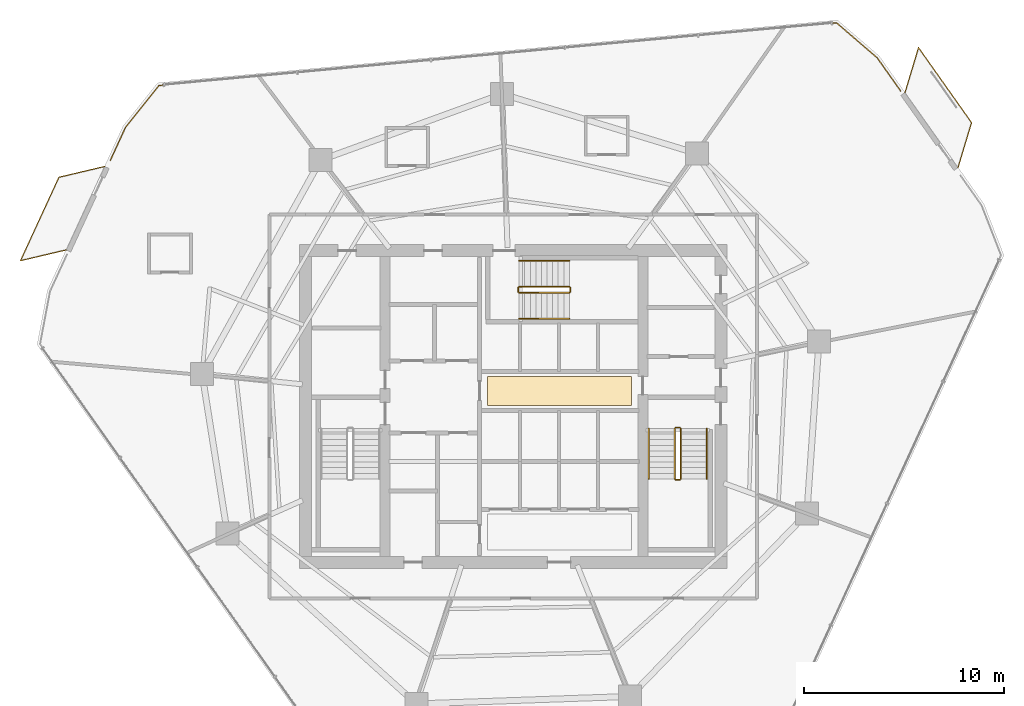
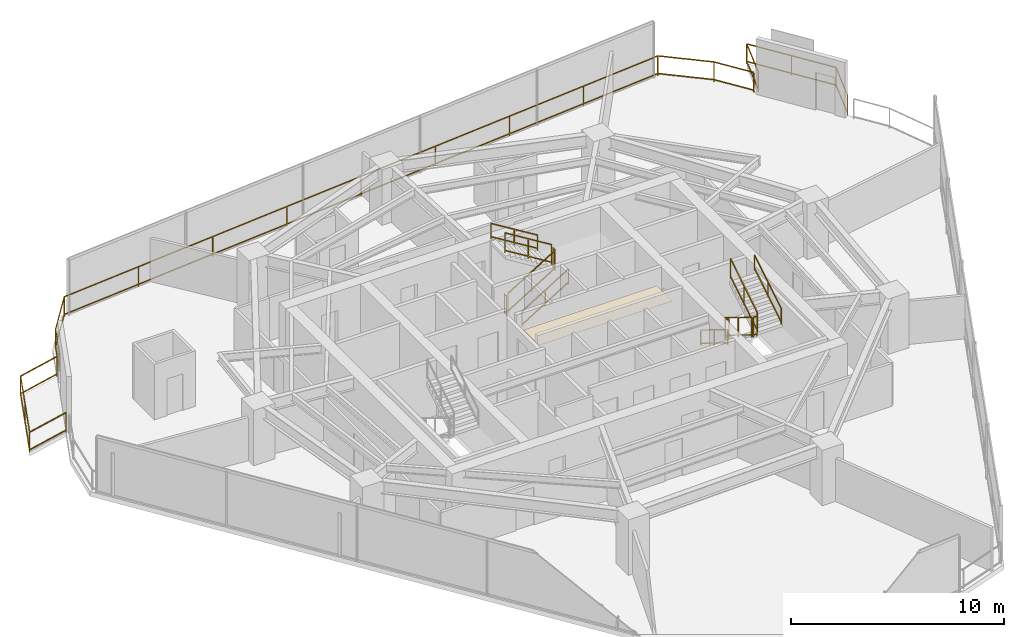
# One storey, part 30 of 30: 16 railings, 1 covering.
"""IFC4 building model written with IfcOpenShell, lengths in metres."""

import ifcopenshell
import ifcopenshell.guid

model = None  # the IFC model being written
_history = None  # IfcOwnerHistory: only IFC2X3 demands one
_inside = {}  # id of a spatial element -> (the spatial element, [elements in it])
_under = {}  # id of a project, library or spatial element -> (it, [spatial elements below it])
_declared = {}  # id of a project -> (the project, [libraries it declares])
_typed = {}  # id of a type object -> (the type object, [elements of that type])
_made_of = {}  # id of a material, layer set ... -> (it, [elements and type objects made of it])


def new_model(schema):
    """Start an empty IFC model of exactly this schema.

    Asked for "IFC4X3", IfcOpenShell would pick the latest addendum, in which some entities
    have other attributes; the version numbers below select the first issue.
    IFC2X3 requires an IfcOwnerHistory on every rooted entity: one is made here for all.
    """
    global model, _history
    if schema == "IFC4X3":
        model = ifcopenshell.file(schema_version=(4, 3, 0, 0))
    else:
        model = ifcopenshell.file(schema=schema)
    _inside.clear()
    _under.clear()
    _declared.clear()
    _typed.clear()
    _made_of.clear()
    _history = None
    if model.schema == "IFC2X3":
        org = make("IfcOrganization", Name="unknown")
        user = make(
            "IfcPersonAndOrganization",
            ThePerson=make("IfcPerson", FamilyName="unknown"),
            TheOrganization=org,
        )
        app = make(
            "IfcApplication",
            ApplicationDeveloper=org,
            Version="unknown",
            ApplicationFullName="unknown",
            ApplicationIdentifier="unknown",
        )
        _history = make(
            "IfcOwnerHistory",
            OwningUser=user,
            OwningApplication=app,
            ChangeAction="ADDED",
            CreationDate=0,
        )
    return model


def make(cls, **values):
    """One entity of the class cls with the attributes given. An attribute that is None is left unset."""
    return model.create_entity(
        cls, **{name: value for name, value in values.items() if value is not None}
    )


def rooted(cls, **values):
    """An entity with a GlobalId (a new one), such as an element, a storey or a relation."""
    return make(cls, GlobalId=ifcopenshell.guid.new(), OwnerHistory=_history, **values)


def si_unit(unit_type, name, prefix=None):
    """IfcSIUnit, for example si_unit("LENGTHUNIT", "METRE", prefix="MILLI")."""
    return make("IfcSIUnit", UnitType=unit_type, Prefix=prefix, Name=name)


def assignment(units):
    """IfcUnitAssignment: the units of a project."""
    return None if units is None else make("IfcUnitAssignment", Units=units)


def point(xyz):
    """IfcCartesianPoint."""
    return None if xyz is None else make("IfcCartesianPoint", Coordinates=xyz)


def direction(xyz):
    """IfcDirection."""
    return None if xyz is None else make("IfcDirection", DirectionRatios=xyz)


def frame(location, z_axis=None, x_axis=None):
    """IfcAxis2Placement3D, a coordinate frame: its origin and axes. An axis left out is left unset."""
    return make(
        "IfcAxis2Placement3D",
        Location=point(location),
        Axis=direction(z_axis),
        RefDirection=direction(x_axis),
    )


def frame_2d(location, x_axis=None):
    """IfcAxis2Placement2D, a coordinate frame in the plane: its origin and x axis."""
    return make(
        "IfcAxis2Placement2D", Location=point(location), RefDirection=direction(x_axis)
    )


def origin():
    """The frame at (0, 0, 0) with its axes left unset."""
    return frame((0.0, 0.0, 0.0))


def origin_2d():
    """The frame at (0, 0) in the plane with its x axis left unset."""
    return frame_2d((0.0, 0.0))


def place(relative_to, where):
    """IfcLocalPlacement: puts the frame where relative to a parent placement (None: the world)."""
    return make(
        "IfcLocalPlacement", PlacementRelTo=relative_to, RelativePlacement=where
    )


def context(
    kind, dimensions, precision=None, world=None, true_north=None, identifier=None
):
    """IfcGeometricRepresentationContext, for example the 3D "Model" context."""
    return make(
        "IfcGeometricRepresentationContext",
        ContextIdentifier=identifier,
        ContextType=kind,
        CoordinateSpaceDimension=dimensions,
        Precision=precision,
        WorldCoordinateSystem=world,
        TrueNorth=true_north,
    )


def subcontext(parent, identifier, kind, view, scale=None):
    """IfcGeometricRepresentationSubContext, for example "Body" below "Model"."""
    return make(
        "IfcGeometricRepresentationSubContext",
        ContextIdentifier=identifier,
        ContextType=kind,
        ParentContext=parent,
        TargetScale=scale,
        TargetView=view,
    )


def project(units=None, contexts=None):
    """IfcProject with its units and contexts."""
    return rooted(
        "IfcProject",
        Name="project",
        RepresentationContexts=contexts,
        UnitsInContext=assignment(units),
    )


def spatial(cls, under=None, at=None, **own):
    """A site, building, storey or space (cls), placed at a placement, below another one or the project."""
    s = rooted(cls, ObjectPlacement=at, **own)
    if under is not None:
        _under.setdefault(under.id(), (under, []))[1].append(s)
    return s


def profile(cls, at=None, kind="AREA", **sizes):
    """A parametric profile (cls). Its sizes go by their IFC names, for example OverallWidth=200.0."""
    return make(cls, ProfileType=kind, Position=at, **sizes)


def rectangle(**sizes):
    """IfcRectangleProfileDef."""
    return profile("IfcRectangleProfileDef", **sizes)


def extrude(swept, where, along, depth):
    """IfcExtrudedAreaSolid: the profile swept, set in the frame where, extruded along a direction by depth."""
    return make(
        "IfcExtrudedAreaSolid",
        SweptArea=swept,
        Position=where,
        ExtrudedDirection=direction(along),
        Depth=depth,
    )


def shape(context_of_items, identifier, shape_type, items):
    """IfcShapeRepresentation: the items that make up one representation, for example the "Body"."""
    return make(
        "IfcShapeRepresentation",
        ContextOfItems=context_of_items,
        RepresentationIdentifier=identifier,
        RepresentationType=shape_type,
        Items=items,
    )


def material(Name=None, Category=None):
    """IfcMaterial."""
    return make("IfcMaterial", Name=Name, Category=Category)


def layer(
    of_material, thickness, ventilated=None, Name=None, Category=None, Priority=None
):
    """IfcMaterialLayer: one layer of a wall or slab, of a material (None: an air gap)."""
    return make(
        "IfcMaterialLayer",
        Material=of_material,
        LayerThickness=thickness,
        IsVentilated=ventilated,
        Name=Name,
        Category=Category,
        Priority=Priority,
    )


def layer_set(layers, Name=None):
    """IfcMaterialLayerSet."""
    return make("IfcMaterialLayerSet", MaterialLayers=layers, LayerSetName=Name)


def made_of(thing, what):
    """Note that an element or type object is made of a material, layer set ...; save() writes the relation."""
    if what is not None:
        _made_of.setdefault(what.id(), (what, []))[1].append(thing)
    return thing


def type_object(cls, material=None, **own):
    """A type object (cls), such as IfcWallType, which elements share."""
    return made_of(rooted(cls, **own), material)


def element(
    cls,
    number,
    at=None,
    inside=None,
    cuts=None,
    type_object=None,
    material=None,
    context=None,
    identifier="Body",
    shape_type=None,
    held_by="IfcProductDefinitionShape",
    body=None,
    shapes=None,
    **own,
):
    """One element of the class cls, such as IfcWall. Its Tag is "e" and its number.

    at: its placement. inside: the storey or other place that contains it. cuts: it is an
    opening in that element (IfcRelVoidsElement). A single representation is given by context,
    identifier, shape_type and body (its items); several are given by shapes. held_by: the class
    of the entity that holds the representations. save() writes the other relations.
    """
    e = rooted(cls, Tag="e%d" % number, ObjectPlacement=at, **own)
    if body is not None:
        shapes = [shape(context, identifier, shape_type, body)]
    if shapes is not None:
        e.Representation = make(held_by, Representations=shapes)
    if inside is not None:
        _inside.setdefault(inside.id(), (inside, []))[1].append(e)
    if cuts is not None:
        rooted(
            "IfcRelVoidsElement", RelatingBuildingElement=cuts, RelatedOpeningElement=e
        )
    if type_object is not None:
        _typed.setdefault(type_object.id(), (type_object, []))[1].append(e)
    return made_of(e, material)


def aggregate(whole, parts):
    """IfcRelAggregates: a whole, such as a stair, and the parts it consists of."""
    return rooted("IfcRelAggregates", RelatingObject=whole, RelatedObjects=parts)


def save(model, path):
    """Write the relations noted so far, then the file.

    IfcRelAggregates (storeys below a building ...), IfcRelContainedInSpatialStructure (elements
    in a storey), IfcRelDefinesByType, IfcRelAssociatesMaterial and IfcRelDeclares: one each for
    every whole, place, type object, material and project.
    """
    for whole, parts in _under.values():
        aggregate(whole, parts)
    for where, things in _inside.values():
        rooted(
            "IfcRelContainedInSpatialStructure",
            RelatedElements=things,
            RelatingStructure=where,
        )
    for kind, things in _typed.values():
        rooted("IfcRelDefinesByType", RelatedObjects=things, RelatingType=kind)
    for what, things in _made_of.values():
        rooted("IfcRelAssociatesMaterial", RelatedObjects=things, RelatingMaterial=what)
    for by, libraries in _declared.values():
        rooted("IfcRelDeclares", RelatingContext=by, RelatedDefinitions=libraries)
    model.write(path)


model = new_model("IFC4")

# Units and contexts
model_context = context("Model", 3, precision=1e-05, world=origin(), true_north=direction((0.0, 1.0)))
body_context = subcontext(model_context, "Body", "Model", "MODEL_VIEW")
ifc_project = project(units=[si_unit("LENGTHUNIT", "METRE"), si_unit("AREAUNIT", "SQUARE_METRE"), si_unit("VOLUMEUNIT", "CUBIC_METRE"), si_unit("PLANEANGLEUNIT", "RADIAN"), si_unit("MASSUNIT", "GRAM", prefix="KILO")], contexts=[model_context])

# Site, building, storey
site_placement = place(None, origin())
site = spatial("IfcSite", under=ifc_project, at=site_placement, CompositionType="ELEMENT")
building_placement = place(site_placement, origin())
building = spatial("IfcBuilding", under=site, at=building_placement, Name="Qarnah Convention Tower", CompositionType="ELEMENT")
storey_placement = place(building_placement, frame((0.0, 0.0, 86.699951171875)))
storey = spatial("IfcBuildingStorey", under=building, at=storey_placement, Name="L22", CompositionType="ELEMENT", Elevation=86.699951171875)

# Covering
ifc_material_1 = material(Name="Mineral fibre acoustic ceiling")
ifc_layer = layer(ifc_material_1, 0.02001953125)
ifc_layer_set = layer_set([ifc_layer], Name="Mineral fibre acoustic ceiling")
covering_type = type_object("IfcCoveringType", Name="COV-CEIL-20", PredefinedType="CEILING", material=ifc_layer_set)
covering_placement = place(storey_placement, frame((39.52001953125, 27.179931640625, 2.2900390625), z_axis=(0.0, 0.0, 1.0), x_axis=(1.0, 0.0, 0.0)))
element("IfcCovering", 1, at=covering_placement, inside=storey, type_object=covering_type, Name="L22 lift lobby acoustic ceiling", PredefinedType="CEILING", context=body_context, shape_type="SweptSolid", body=[
    extrude(rectangle(XDim=7.199951171875, YDim=1.449951171875, at=origin_2d()), origin(), (0.0, 0.0, 1.0), 0.02001953125),
])

# Railings
ifc_material_2 = material(Name="Black anodised aluminium", Category="aluminium")
railing_type_1 = type_object("IfcRailingType", Name="RL-EXT-GUARD-1150", PredefinedType="GUARDRAIL", material=ifc_material_2)
railing_1_placement = place(storey_placement, frame((55.424072265625, 43.85205078125, 0.0)))
element("IfcRailing", 2, at=railing_1_placement, inside=storey, type_object=railing_type_1, Name="L22 slab-edge perimeter safety guard 01", PredefinedType="GUARDRAIL", context=body_context, shape_type="SweptSolid", body=[
    extrude(rectangle(XDim=0.048095703125, YDim=0.048095703125, at=origin_2d()), frame((0.0, 0.0, 1.1259765625), z_axis=(0.577511226512, -0.816382743113, 0.0), x_axis=(0.816382743113, 0.577511226512, 0.0)), (0.0, 0.0, 1.0), 2.048095703125),
    extrude(rectangle(XDim=0.048095703125, YDim=0.048095703125, at=origin_2d()), frame((0.0, 0.0, 0.1201171875), z_axis=(0.577511226512, -0.816382743113, 0.0), x_axis=(0.816382743113, 0.577511226512, 0.0)), (0.0, 0.0, 1.0), 2.048095703125),
    extrude(rectangle(XDim=0.0419921875, YDim=0.0419921875, at=origin_2d()), origin(), (0.0, 0.0, 1.0), 1.101806640625),
    extrude(rectangle(XDim=0.0419921875, YDim=0.0419921875, at=origin_2d()), frame((1.182861328125, -1.672119140625, 0.0)), (0.0, 0.0, 1.0), 1.101806640625),
])
railing_2_placement = place(storey_placement, frame((17.037109375, 38.70703125, 0.0)))
element("IfcRailing", 3, at=railing_2_placement, inside=storey, type_object=railing_type_1, Name="L22 slab-edge perimeter safety guard 03", PredefinedType="GUARDRAIL", context=body_context, shape_type="SweptSolid", body=[
    extrude(rectangle(XDim=0.048095703125, YDim=0.048095703125, at=origin_2d()), frame((0.0, 0.0, 1.1259765625), z_axis=(0.418155795695, 0.908375324702, 0.0), x_axis=(-0.908375324702, 0.418155795695, 0.0)), (0.0, 0.0, 1.0), 1.836181640625),
    extrude(rectangle(XDim=0.048095703125, YDim=0.048095703125, at=origin_2d()), frame((0.0, 0.0, 0.1201171875), z_axis=(0.418155795695, 0.908375324702, 0.0), x_axis=(-0.908375324702, 0.418155795695, 0.0)), (0.0, 0.0, 1.0), 1.836181640625),
    extrude(rectangle(XDim=0.048095703125, YDim=0.048095703125, at=origin_2d()), frame((0.767822265625, 1.66796875, 1.1259765625), z_axis=(0.625194984768, 0.780468597076, 0.0), x_axis=(-0.780468597076, 0.625194984768, 0.0)), (0.0, 0.0, 1.0), 2.67919921875),
    extrude(rectangle(XDim=0.048095703125, YDim=0.048095703125, at=origin_2d()), frame((0.767822265625, 1.66796875, 0.1201171875), z_axis=(0.625194984768, 0.780468597076, 0.0), x_axis=(-0.780468597076, 0.625194984768, 0.0)), (0.0, 0.0, 1.0), 2.67919921875),
    extrude(rectangle(XDim=0.048095703125, YDim=0.048095703125, at=origin_2d()), frame((2.44287109375, 3.759033203125, 1.1259765625), z_axis=(0.995757013505, 0.092021573864, 0.0), x_axis=(-0.092021573864, 0.995757013505, 0.0)), (0.0, 0.0, 1.0), 34.0576171875),
    extrude(rectangle(XDim=0.048095703125, YDim=0.048095703125, at=origin_2d()), frame((2.44287109375, 3.759033203125, 0.1201171875), z_axis=(0.995757013505, 0.092021573864, 0.0), x_axis=(-0.092021573864, 0.995757013505, 0.0)), (0.0, 0.0, 1.0), 34.0576171875),
    extrude(rectangle(XDim=0.048095703125, YDim=0.048095703125, at=origin_2d()), frame((36.35595703125, 6.89306640625, 1.1259765625), z_axis=(0.75793020682, -0.652335651019, 0.0), x_axis=(0.652335651019, 0.75793020682, 0.0)), (0.0, 0.0, 1.0), 2.6796875),
    extrude(rectangle(XDim=0.048095703125, YDim=0.048095703125, at=origin_2d()), frame((36.35595703125, 6.89306640625, 0.1201171875), z_axis=(0.75793020682, -0.652335651019, 0.0), x_axis=(0.652335651019, 0.75793020682, 0.0)), (0.0, 0.0, 1.0), 2.6796875),
    extrude(rectangle(XDim=0.0419921875, YDim=0.0419921875, at=origin_2d()), origin(), (0.0, 0.0, 1.0), 1.101806640625),
    extrude(rectangle(XDim=0.0419921875, YDim=0.0419921875, at=origin_2d()), frame((0.767822265625, 1.66796875, 0.0)), (0.0, 0.0, 1.0), 1.101806640625),
    extrude(rectangle(XDim=0.0419921875, YDim=0.0419921875, at=origin_2d()), frame((2.44287109375, 3.759033203125, 0.0)), (0.0, 0.0, 1.0), 1.101806640625),
    extrude(rectangle(XDim=0.0419921875, YDim=0.0419921875, at=origin_2d()), frame((6.68212890625, 4.15087890625, 0.0)), (0.0, 0.0, 1.0), 1.101806640625),
    extrude(rectangle(XDim=0.0419921875, YDim=0.0419921875, at=origin_2d()), frame((10.921142578125, 4.54248046875, 0.0)), (0.0, 0.0, 1.0), 1.101806640625),
    extrude(rectangle(XDim=0.0419921875, YDim=0.0419921875, at=origin_2d()), frame((15.16015625, 4.934326171875, 0.0)), (0.0, 0.0, 1.0), 1.101806640625),
    extrude(rectangle(XDim=0.0419921875, YDim=0.0419921875, at=origin_2d()), frame((19.3994140625, 5.326171875, 0.0)), (0.0, 0.0, 1.0), 1.101806640625),
    extrude(rectangle(XDim=0.0419921875, YDim=0.0419921875, at=origin_2d()), frame((23.638671875, 5.7177734375, 0.0)), (0.0, 0.0, 1.0), 1.101806640625),
    extrude(rectangle(XDim=0.0419921875, YDim=0.0419921875, at=origin_2d()), frame((27.877685546875, 6.109619140625, 0.0)), (0.0, 0.0, 1.0), 1.101806640625),
    extrude(rectangle(XDim=0.0419921875, YDim=0.0419921875, at=origin_2d()), frame((32.11669921875, 6.501220703125, 0.0)), (0.0, 0.0, 1.0), 1.101806640625),
    extrude(rectangle(XDim=0.0419921875, YDim=0.0419921875, at=origin_2d()), frame((36.35595703125, 6.89306640625, 0.0)), (0.0, 0.0, 1.0), 1.101806640625),
    extrude(rectangle(XDim=0.0419921875, YDim=0.0419921875, at=origin_2d()), frame((38.386962890625, 5.14501953125, 0.0)), (0.0, 0.0, 1.0), 1.101806640625),
])
railing_3_placement = place(storey_placement, frame((56.81689453125, 42.115966796875, 0.0)))
element("IfcRailing", 4, at=railing_3_placement, inside=storey, type_object=railing_type_1, Name="L22 balcony safety guard BAL-L22-C1", PredefinedType="GUARDRAIL", context=body_context, shape_type="SweptSolid", body=[
    extrude(rectangle(XDim=0.048095703125, YDim=0.048095703125, at=origin_2d()), frame((0.0, 0.0, 1.1259765625), z_axis=(0.287481424255, 0.957786213467, 0.0), x_axis=(-0.957786213467, 0.287481424255, 0.0)), (0.0, 0.0, 1.0), 2.34814453125),
    extrude(rectangle(XDim=0.048095703125, YDim=0.048095703125, at=origin_2d()), frame((0.0, 0.0, 0.1201171875), z_axis=(0.287481424255, 0.957786213467, 0.0), x_axis=(-0.957786213467, 0.287481424255, 0.0)), (0.0, 0.0, 1.0), 2.34814453125),
    extrude(rectangle(XDim=0.048095703125, YDim=0.048095703125, at=origin_2d()), frame((0.675048828125, 2.2490234375, 1.1259765625), z_axis=(0.577497501286, -0.816392452199, 0.0), x_axis=(0.816392452199, 0.577497501286, 0.0)), (0.0, 0.0, 1.0), 4.600830078125),
    extrude(rectangle(XDim=0.048095703125, YDim=0.048095703125, at=origin_2d()), frame((0.675048828125, 2.2490234375, 0.1201171875), z_axis=(0.577497501286, -0.816392452199, 0.0), x_axis=(0.816392452199, 0.577497501286, 0.0)), (0.0, 0.0, 1.0), 4.600830078125),
    extrude(rectangle(XDim=0.048095703125, YDim=0.048095703125, at=origin_2d()), frame((3.33203125, -1.507080078125, 1.1259765625), z_axis=(-0.287529210991, -0.957771868885, 0.0), x_axis=(0.957771868885, -0.287529210991, 0.0)), (0.0, 0.0, 1.0), 2.346923828125),
    extrude(rectangle(XDim=0.048095703125, YDim=0.048095703125, at=origin_2d()), frame((3.33203125, -1.507080078125, 0.1201171875), z_axis=(-0.287529210991, -0.957771868885, 0.0), x_axis=(0.957771868885, -0.287529210991, 0.0)), (0.0, 0.0, 1.0), 2.346923828125),
    extrude(rectangle(XDim=0.0419921875, YDim=0.0419921875, at=origin_2d()), origin(), (0.0, 0.0, 1.0), 1.101806640625),
    extrude(rectangle(XDim=0.0419921875, YDim=0.0419921875, at=origin_2d()), frame((0.675048828125, 2.2490234375, 0.0)), (0.0, 0.0, 1.0), 1.101806640625),
    extrude(rectangle(XDim=0.0419921875, YDim=0.0419921875, at=origin_2d()), frame((2.00341796875, 0.37109375, 0.0)), (0.0, 0.0, 1.0), 1.101806640625),
    extrude(rectangle(XDim=0.0419921875, YDim=0.0419921875, at=origin_2d()), frame((3.33203125, -1.507080078125, 0.0)), (0.0, 0.0, 1.0), 1.101806640625),
    extrude(rectangle(XDim=0.0419921875, YDim=0.0419921875, at=origin_2d()), frame((2.6572265625, -3.7548828125, 0.0)), (0.0, 0.0, 1.0), 1.101806640625),
])
railing_4_placement = place(storey_placement, frame((14.8291015625, 34.235107421875, 0.0)))
element("IfcRailing", 5, at=railing_4_placement, inside=storey, type_object=railing_type_1, Name="L22 balcony safety guard BAL-L22-C2", PredefinedType="GUARDRAIL", context=body_context, shape_type="SweptSolid", body=[
    extrude(rectangle(XDim=0.048095703125, YDim=0.048095703125, at=origin_2d()), frame((0.0, 0.0, 1.1259765625), z_axis=(-0.973286092315, -0.229595693572, 0.0), x_axis=(0.229595693572, -0.973286092315, 0.0)), (0.0, 0.0, 1.0), 2.347900390625),
    extrude(rectangle(XDim=0.048095703125, YDim=0.048095703125, at=origin_2d()), frame((0.0, 0.0, 0.1201171875), z_axis=(-0.973286092315, -0.229595693572, 0.0), x_axis=(0.229595693572, -0.973286092315, 0.0)), (0.0, 0.0, 1.0), 2.347900390625),
    extrude(rectangle(XDim=0.048095703125, YDim=0.048095703125, at=origin_2d()), frame((-2.28515625, -0.5390625, 1.1259765625), z_axis=(0.418300711936, 0.908308600859, 0.0), x_axis=(-0.908308600859, 0.418300711936, 0.0)), (0.0, 0.0, 1.0), 4.599853515625),
    extrude(rectangle(XDim=0.048095703125, YDim=0.048095703125, at=origin_2d()), frame((-2.28515625, -0.5390625, 0.1201171875), z_axis=(0.418300711936, 0.908308600859, 0.0), x_axis=(-0.908308600859, 0.418300711936, 0.0)), (0.0, 0.0, 1.0), 4.599853515625),
    extrude(rectangle(XDim=0.048095703125, YDim=0.048095703125, at=origin_2d()), frame((-0.361083984375, 3.638916015625, 1.1259765625), z_axis=(0.9731875753, 0.230012919817, 0.0), x_axis=(-0.230012919817, 0.9731875753, 0.0)), (0.0, 0.0, 1.0), 2.347900390625),
    extrude(rectangle(XDim=0.048095703125, YDim=0.048095703125, at=origin_2d()), frame((-0.361083984375, 3.638916015625, 0.1201171875), z_axis=(0.9731875753, 0.230012919817, 0.0), x_axis=(-0.230012919817, 0.9731875753, 0.0)), (0.0, 0.0, 1.0), 2.347900390625),
    extrude(rectangle(XDim=0.0419921875, YDim=0.0419921875, at=origin_2d()), origin(), (0.0, 0.0, 1.0), 1.101806640625),
    extrude(rectangle(XDim=0.0419921875, YDim=0.0419921875, at=origin_2d()), frame((-2.28515625, -0.5390625, 0.0)), (0.0, 0.0, 1.0), 1.101806640625),
    extrude(rectangle(XDim=0.0419921875, YDim=0.0419921875, at=origin_2d()), frame((-1.3232421875, 1.5498046875, 0.0)), (0.0, 0.0, 1.0), 1.101806640625),
    extrude(rectangle(XDim=0.0419921875, YDim=0.0419921875, at=origin_2d()), frame((-0.361083984375, 3.638916015625, 0.0)), (0.0, 0.0, 1.0), 1.101806640625),
    extrude(rectangle(XDim=0.0419921875, YDim=0.0419921875, at=origin_2d()), frame((1.923828125, 4.178955078125, 0.0)), (0.0, 0.0, 1.0), 1.101806640625),
])
ifc_material_3 = material(Name="Structural steel S355JR", Category="steel")
railing_type_2 = type_object("IfcRailingType", Name="RL-STAIR-GUARD-1150", PredefinedType="GUARDRAIL", material=ifc_material_3)
railing_5_placement = place(storey_placement, frame((45.300048828125, 25.300048828125, 0.172607421875)))
element("IfcRailing", 6, at=railing_5_placement, inside=storey, type_object=railing_type_2, Name="L22 ST-2 stair guard 1", PredefinedType="GUARDRAIL", context=body_context, shape_type="SweptSolid", body=[
    extrude(rectangle(XDim=0.048095703125, YDim=0.048095703125, at=origin_2d()), frame((0.0, 0.0, 1.1259765625), z_axis=(0.0, -0.851400495292, 0.524516154772), x_axis=(1.0, 0.0, 0.0)), (0.0, 0.0, 1.0), 2.9599609375),
    extrude(rectangle(XDim=0.048095703125, YDim=0.048095703125, at=origin_2d()), frame((0.0, 0.0, 0.1201171875), z_axis=(0.0, -0.851400495292, 0.524516154772), x_axis=(1.0, 0.0, 0.0)), (0.0, 0.0, 1.0), 2.9599609375),
    extrude(rectangle(XDim=0.0419921875, YDim=0.0419921875, at=origin_2d()), origin(), (0.0, 0.0, 1.0), 1.101806640625),
    extrude(rectangle(XDim=0.0419921875, YDim=0.0419921875, at=origin_2d()), frame((0.0, -1.260009765625, 0.7763671875)), (0.0, 0.0, 1.0), 1.101806640625),
    extrude(rectangle(XDim=0.0419921875, YDim=0.0419921875, at=origin_2d()), frame((0.0, -2.52001953125, 1.552490234375)), (0.0, 0.0, 1.0), 1.101806640625),
])
railing_6_placement = place(storey_placement, frame((45.35009765625, 22.72998046875, 1.72509765625)))
element("IfcRailing", 7, at=railing_6_placement, inside=storey, type_object=railing_type_2, Name="L22 ST-2 stair guard 2", PredefinedType="GUARDRAIL", context=body_context, shape_type="SweptSolid", body=[
    extrude(rectangle(XDim=0.048095703125, YDim=0.048095703125, at=origin_2d()), frame((0.0, 0.0, 1.1259765625), z_axis=(1.0, 0.0, 0.0), x_axis=(0.0, 1.0, 0.0)), (0.0, 0.0, 1.0), 0.199951171875),
    extrude(rectangle(XDim=0.048095703125, YDim=0.048095703125, at=origin_2d()), frame((0.0, 0.0, 0.1201171875), z_axis=(1.0, 0.0, 0.0), x_axis=(0.0, 1.0, 0.0)), (0.0, 0.0, 1.0), 0.199951171875),
    extrude(rectangle(XDim=0.0419921875, YDim=0.0419921875, at=origin_2d()), origin(), (0.0, 0.0, 1.0), 1.101806640625),
    extrude(rectangle(XDim=0.0419921875, YDim=0.0419921875, at=origin_2d()), frame((0.199951171875, 0.0, 0.0)), (0.0, 0.0, 1.0), 1.101806640625),
])
railing_7_placement = place(storey_placement, frame((45.60009765625, 22.780029296875, 1.8974609375)))
element("IfcRailing", 8, at=railing_7_placement, inside=storey, type_object=railing_type_2, Name="L22 ST-2 stair guard 3", PredefinedType="GUARDRAIL", context=body_context, shape_type="SweptSolid", body=[
    extrude(rectangle(XDim=0.048095703125, YDim=0.048095703125, at=origin_2d()), frame((0.0, 0.0, 1.1259765625), z_axis=(0.0, 0.851400495292, 0.524516154772), x_axis=(-1.0, 0.0, 0.0)), (0.0, 0.0, 1.0), 2.9599609375),
    extrude(rectangle(XDim=0.048095703125, YDim=0.048095703125, at=origin_2d()), frame((0.0, 0.0, 0.1201171875), z_axis=(0.0, 0.851400495292, 0.524516154772), x_axis=(-1.0, 0.0, 0.0)), (0.0, 0.0, 1.0), 2.9599609375),
    extrude(rectangle(XDim=0.0419921875, YDim=0.0419921875, at=origin_2d()), origin(), (0.0, 0.0, 1.0), 1.101806640625),
    extrude(rectangle(XDim=0.0419921875, YDim=0.0419921875, at=origin_2d()), frame((0.0, 1.260009765625, 0.7763671875)), (0.0, 0.0, 1.0), 1.101806640625),
    extrude(rectangle(XDim=0.0419921875, YDim=0.0419921875, at=origin_2d()), frame((0.0, 2.52001953125, 1.552490234375)), (0.0, 0.0, 1.0), 1.101806640625),
])
railing_8_placement = place(storey_placement, frame((45.35009765625, 25.35009765625, 0.0)))
element("IfcRailing", 9, at=railing_8_placement, inside=storey, type_object=railing_type_2, Name="L22 ST-2 stair guard 4", PredefinedType="GUARDRAIL", context=body_context, shape_type="SweptSolid", body=[
    extrude(rectangle(XDim=0.048095703125, YDim=0.048095703125, at=origin_2d()), frame((0.0, 0.0, 1.1259765625), z_axis=(1.0, 0.0, 0.0), x_axis=(0.0, 1.0, 0.0)), (0.0, 0.0, 1.0), 0.199951171875),
    extrude(rectangle(XDim=0.048095703125, YDim=0.048095703125, at=origin_2d()), frame((0.0, 0.0, 0.1201171875), z_axis=(1.0, 0.0, 0.0), x_axis=(0.0, 1.0, 0.0)), (0.0, 0.0, 1.0), 0.199951171875),
    extrude(rectangle(XDim=0.0419921875, YDim=0.0419921875, at=origin_2d()), origin(), (0.0, 0.0, 1.0), 1.101806640625),
    extrude(rectangle(XDim=0.0419921875, YDim=0.0419921875, at=origin_2d()), frame((0.199951171875, 0.0, 0.0)), (0.0, 0.0, 1.0), 1.101806640625),
])
railing_9_placement = place(storey_placement, frame((37.5, 32.10009765625, 0.172607421875)))
element("IfcRailing", 10, at=railing_9_placement, inside=storey, type_object=railing_type_2, Name="L22 ST-3 stair guard 1", PredefinedType="GUARDRAIL", context=body_context, shape_type="SweptSolid", body=[
    extrude(rectangle(XDim=0.048095703125, YDim=0.048095703125, at=origin_2d()), frame((0.0, 0.0, 1.1259765625), z_axis=(0.851400495292, 0.0, 0.524516154772), x_axis=(0.0, 1.0, 0.0)), (0.0, 0.0, 1.0), 2.9599609375),
    extrude(rectangle(XDim=0.048095703125, YDim=0.048095703125, at=origin_2d()), frame((0.0, 0.0, 0.1201171875), z_axis=(0.851400495292, 0.0, 0.524516154772), x_axis=(0.0, 1.0, 0.0)), (0.0, 0.0, 1.0), 2.9599609375),
    extrude(rectangle(XDim=0.0419921875, YDim=0.0419921875, at=origin_2d()), origin(), (0.0, 0.0, 1.0), 1.101806640625),
    extrude(rectangle(XDim=0.0419921875, YDim=0.0419921875, at=origin_2d()), frame((1.260009765625, 0.0, 0.7763671875)), (0.0, 0.0, 1.0), 1.101806640625),
    extrude(rectangle(XDim=0.0419921875, YDim=0.0419921875, at=origin_2d()), frame((2.52001953125, 0.0, 1.552490234375)), (0.0, 0.0, 1.0), 1.101806640625),
])
railing_10_placement = place(storey_placement, frame((40.070068359375, 32.14990234375, 1.72509765625)))
element("IfcRailing", 11, at=railing_10_placement, inside=storey, type_object=railing_type_2, Name="L22 ST-3 stair guard 2", PredefinedType="GUARDRAIL", context=body_context, shape_type="SweptSolid", body=[
    extrude(rectangle(XDim=0.048095703125, YDim=0.048095703125, at=origin_2d()), frame((0.0, 0.0, 1.1259765625), z_axis=(0.0, 1.0, 0.0), x_axis=(-1.0, 0.0, 0.0)), (0.0, 0.0, 1.0), 0.2001953125),
    extrude(rectangle(XDim=0.048095703125, YDim=0.048095703125, at=origin_2d()), frame((0.0, 0.0, 0.1201171875), z_axis=(0.0, 1.0, 0.0), x_axis=(-1.0, 0.0, 0.0)), (0.0, 0.0, 1.0), 0.2001953125),
    extrude(rectangle(XDim=0.0419921875, YDim=0.0419921875, at=origin_2d()), origin(), (0.0, 0.0, 1.0), 1.101806640625),
    extrude(rectangle(XDim=0.0419921875, YDim=0.0419921875, at=origin_2d()), frame((0.0, 0.2001953125, 0.0)), (0.0, 0.0, 1.0), 1.101806640625),
])
railing_11_placement = place(storey_placement, frame((40.02001953125, 32.39990234375, 1.8974609375)))
element("IfcRailing", 12, at=railing_11_placement, inside=storey, type_object=railing_type_2, Name="L22 ST-3 stair guard 3", PredefinedType="GUARDRAIL", context=body_context, shape_type="SweptSolid", body=[
    extrude(rectangle(XDim=0.048095703125, YDim=0.048095703125, at=origin_2d()), frame((0.0, 0.0, 1.1259765625), z_axis=(-0.851400495292, 0.0, 0.524516154772), x_axis=(0.0, -1.0, 0.0)), (0.0, 0.0, 1.0), 2.9599609375),
    extrude(rectangle(XDim=0.048095703125, YDim=0.048095703125, at=origin_2d()), frame((0.0, 0.0, 0.1201171875), z_axis=(-0.851400495292, 0.0, 0.524516154772), x_axis=(0.0, -1.0, 0.0)), (0.0, 0.0, 1.0), 2.9599609375),
    extrude(rectangle(XDim=0.0419921875, YDim=0.0419921875, at=origin_2d()), origin(), (0.0, 0.0, 1.0), 1.101806640625),
    extrude(rectangle(XDim=0.0419921875, YDim=0.0419921875, at=origin_2d()), frame((-1.260009765625, 0.0, 0.7763671875)), (0.0, 0.0, 1.0), 1.101806640625),
    extrude(rectangle(XDim=0.0419921875, YDim=0.0419921875, at=origin_2d()), frame((-2.52001953125, 0.0, 1.552490234375)), (0.0, 0.0, 1.0), 1.101806640625),
])
railing_12_placement = place(storey_placement, frame((37.449951171875, 32.14990234375, 0.0)))
element("IfcRailing", 13, at=railing_12_placement, inside=storey, type_object=railing_type_2, Name="L22 ST-3 stair guard 4", PredefinedType="GUARDRAIL", context=body_context, shape_type="SweptSolid", body=[
    extrude(rectangle(XDim=0.048095703125, YDim=0.048095703125, at=origin_2d()), frame((0.0, 0.0, 1.1259765625), z_axis=(0.0, 1.0, 0.0), x_axis=(-1.0, 0.0, 0.0)), (0.0, 0.0, 1.0), 0.2001953125),
    extrude(rectangle(XDim=0.048095703125, YDim=0.048095703125, at=origin_2d()), frame((0.0, 0.0, 0.1201171875), z_axis=(0.0, 1.0, 0.0), x_axis=(-1.0, 0.0, 0.0)), (0.0, 0.0, 1.0), 0.2001953125),
    extrude(rectangle(XDim=0.0419921875, YDim=0.0419921875, at=origin_2d()), origin(), (0.0, 0.0, 1.0), 1.101806640625),
    extrude(rectangle(XDim=0.0419921875, YDim=0.0419921875, at=origin_2d()), frame((0.0, 0.2001953125, 0.0)), (0.0, 0.0, 1.0), 1.101806640625),
])
railing_type_3 = type_object("IfcRailingType", Name="RL-STAIR-HAND-900", PredefinedType="HANDRAIL", material=ifc_material_3)
railing_13_placement = place(storey_placement, frame((44.0, 25.300048828125, 0.172607421875)))
element("IfcRailing", 14, at=railing_13_placement, inside=storey, type_object=railing_type_3, Name="L22 ST-2 stair handrail 1", PredefinedType="HANDRAIL", context=body_context, shape_type="SweptSolid", body=[
    extrude(rectangle(XDim=0.048095703125, YDim=0.048095703125, at=origin_2d()), frame((0.0, 0.0, 0.8759765625), z_axis=(0.0, -0.851400495292, 0.524516154772), x_axis=(1.0, 0.0, 0.0)), (0.0, 0.0, 1.0), 2.9599609375),
    extrude(rectangle(XDim=0.048095703125, YDim=0.048095703125, at=origin_2d()), frame((0.0, 0.0, 0.1201171875), z_axis=(0.0, -0.851400495292, 0.524516154772), x_axis=(1.0, 0.0, 0.0)), (0.0, 0.0, 1.0), 2.9599609375),
    extrude(rectangle(XDim=0.0419921875, YDim=0.0419921875, at=origin_2d()), origin(), (0.0, 0.0, 1.0), 0.851806640625),
    extrude(rectangle(XDim=0.0419921875, YDim=0.0419921875, at=origin_2d()), frame((0.0, -1.260009765625, 0.7763671875)), (0.0, 0.0, 1.0), 0.851806640625),
    extrude(rectangle(XDim=0.0419921875, YDim=0.0419921875, at=origin_2d()), frame((0.0, -2.52001953125, 1.552490234375)), (0.0, 0.0, 1.0), 0.851806640625),
])
railing_14_placement = place(storey_placement, frame((46.89990234375, 22.780029296875, 1.8974609375)))
element("IfcRailing", 15, at=railing_14_placement, inside=storey, type_object=railing_type_3, Name="L22 ST-2 stair handrail 2", PredefinedType="HANDRAIL", context=body_context, shape_type="SweptSolid", body=[
    extrude(rectangle(XDim=0.048095703125, YDim=0.048095703125, at=origin_2d()), frame((0.0, 0.0, 0.8759765625), z_axis=(0.0, 0.851400495292, 0.524516154772), x_axis=(-1.0, 0.0, 0.0)), (0.0, 0.0, 1.0), 2.9599609375),
    extrude(rectangle(XDim=0.048095703125, YDim=0.048095703125, at=origin_2d()), frame((0.0, 0.0, 0.1201171875), z_axis=(0.0, 0.851400495292, 0.524516154772), x_axis=(-1.0, 0.0, 0.0)), (0.0, 0.0, 1.0), 2.9599609375),
    extrude(rectangle(XDim=0.0419921875, YDim=0.0419921875, at=origin_2d()), origin(), (0.0, 0.0, 1.0), 0.851806640625),
    extrude(rectangle(XDim=0.0419921875, YDim=0.0419921875, at=origin_2d()), frame((0.0, 1.260009765625, 0.7763671875)), (0.0, 0.0, 1.0), 0.851806640625),
    extrude(rectangle(XDim=0.0419921875, YDim=0.0419921875, at=origin_2d()), frame((0.0, 2.52001953125, 1.552490234375)), (0.0, 0.0, 1.0), 0.851806640625),
])
railing_15_placement = place(storey_placement, frame((37.5, 30.800048828125, 0.172607421875)))
element("IfcRailing", 16, at=railing_15_placement, inside=storey, type_object=railing_type_3, Name="L22 ST-3 stair handrail 1", PredefinedType="HANDRAIL", context=body_context, shape_type="SweptSolid", body=[
    extrude(rectangle(XDim=0.048095703125, YDim=0.048095703125, at=origin_2d()), frame((0.0, 0.0, 0.8759765625), z_axis=(0.851400495292, 0.0, 0.524516154772), x_axis=(0.0, 1.0, 0.0)), (0.0, 0.0, 1.0), 2.9599609375),
    extrude(rectangle(XDim=0.048095703125, YDim=0.048095703125, at=origin_2d()), frame((0.0, 0.0, 0.1201171875), z_axis=(0.851400495292, 0.0, 0.524516154772), x_axis=(0.0, 1.0, 0.0)), (0.0, 0.0, 1.0), 2.9599609375),
    extrude(rectangle(XDim=0.0419921875, YDim=0.0419921875, at=origin_2d()), origin(), (0.0, 0.0, 1.0), 0.851806640625),
    extrude(rectangle(XDim=0.0419921875, YDim=0.0419921875, at=origin_2d()), frame((1.260009765625, 0.0, 0.7763671875)), (0.0, 0.0, 1.0), 0.851806640625),
    extrude(rectangle(XDim=0.0419921875, YDim=0.0419921875, at=origin_2d()), frame((2.52001953125, 0.0, 1.552490234375)), (0.0, 0.0, 1.0), 0.851806640625),
])
railing_16_placement = place(storey_placement, frame((40.02001953125, 33.699951171875, 1.8974609375)))
element("IfcRailing", 17, at=railing_16_placement, inside=storey, type_object=railing_type_3, Name="L22 ST-3 stair handrail 2", PredefinedType="HANDRAIL", context=body_context, shape_type="SweptSolid", body=[
    extrude(rectangle(XDim=0.048095703125, YDim=0.048095703125, at=origin_2d()), frame((0.0, 0.0, 0.8759765625), z_axis=(-0.851400495292, 0.0, 0.524516154772), x_axis=(0.0, -1.0, 0.0)), (0.0, 0.0, 1.0), 2.9599609375),
    extrude(rectangle(XDim=0.048095703125, YDim=0.048095703125, at=origin_2d()), frame((0.0, 0.0, 0.1201171875), z_axis=(-0.851400495292, 0.0, 0.524516154772), x_axis=(0.0, -1.0, 0.0)), (0.0, 0.0, 1.0), 2.9599609375),
    extrude(rectangle(XDim=0.0419921875, YDim=0.0419921875, at=origin_2d()), origin(), (0.0, 0.0, 1.0), 0.851806640625),
    extrude(rectangle(XDim=0.0419921875, YDim=0.0419921875, at=origin_2d()), frame((-1.260009765625, 0.0, 0.7763671875)), (0.0, 0.0, 1.0), 0.851806640625),
    extrude(rectangle(XDim=0.0419921875, YDim=0.0419921875, at=origin_2d()), frame((-2.52001953125, 0.0, 1.552490234375)), (0.0, 0.0, 1.0), 0.851806640625),
])

save(model, "model.ifc")
